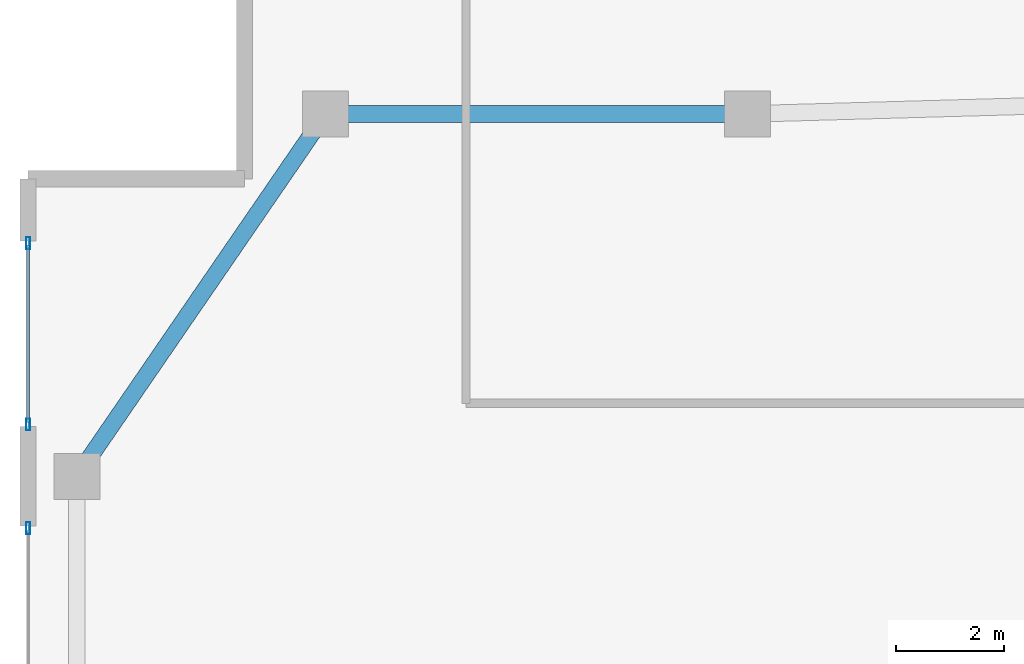
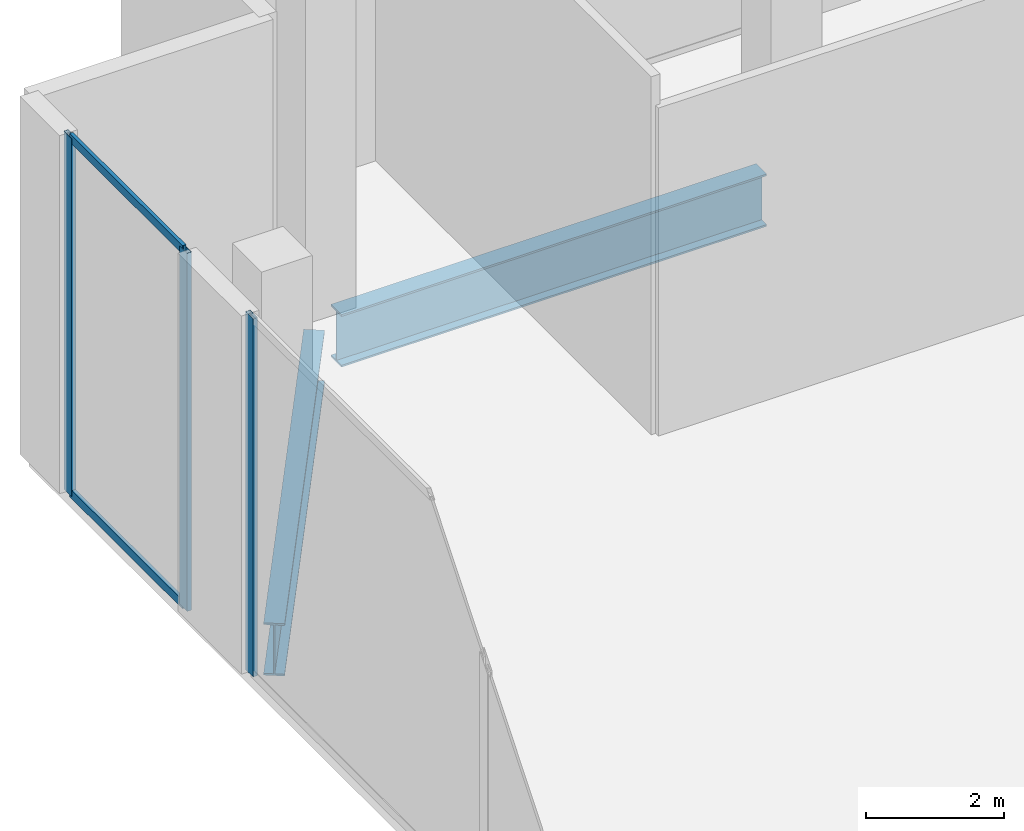
# One storey, part 12 of 30: 5 members, 2 beams, 2 elements without a shape of their own.
"""IFC4 building model written with IfcOpenShell, lengths in metres."""

from ifc_helpers import new_model, si_unit, direction, frame, origin, origin_2d, place, context, subcontext, project, spatial, hollow_rectangle, i_section, extrude, material, layer, layer_set, material_profile, profile_set, type_object, element, aggregate, save


model = new_model("IFC4")

# Units and contexts
model_context = context("Model", 3, precision=1e-05, world=origin(), true_north=direction((0.0, 1.0)))
body_context = subcontext(model_context, "Body", "Model", "MODEL_VIEW")
ifc_project = project(units=[si_unit("LENGTHUNIT", "METRE"), si_unit("AREAUNIT", "SQUARE_METRE"), si_unit("VOLUMEUNIT", "CUBIC_METRE"), si_unit("PLANEANGLEUNIT", "RADIAN"), si_unit("MASSUNIT", "GRAM", prefix="KILO")], contexts=[model_context])

# Site, building, storey
site_placement = place(None, origin())
site = spatial("IfcSite", under=ifc_project, at=site_placement, CompositionType="ELEMENT")
building_placement = place(site_placement, origin())
building = spatial("IfcBuilding", under=site, at=building_placement, Name="Zuhayl Quay Hotel", CompositionType="ELEMENT")
storey_placement = place(building_placement, frame((0.0, 0.0, 11.39990234375)))
storey = spatial("IfcBuildingStorey", under=building, at=storey_placement, Name="L02", CompositionType="ELEMENT", Elevation=11.39990234375)

# Beams
ifc_material_1 = material(Name="Steel ASTM A992 Grade 50", Category="steel")
ifc_material_profile_1 = material_profile(ifc_material_1, i_section(OverallWidth=0.306884765625, OverallDepth=0.927001953125, WebThickness=0.019287109375, FlangeThickness=0.031982421875, at=origin_2d()), Name="W36X194")
ifc_profile_set_1 = profile_set([ifc_material_profile_1], Name="Steel ASTM A992 Grade 50")
beam_type = type_object("IfcBeamType", Name="BM_PG2_W36X194", PredefinedType="BEAM", material=ifc_profile_set_1)
beam_1_placement = place(storey_placement, frame((-30.159912109375, 22.199951171875, -0.723388671875), z_axis=(1.0, 0.0, 0.0), x_axis=(0.0, 1.0, 0.0)))
element("IfcBeam", 1, at=beam_1_placement, inside=storey, type_object=beam_type, Name="L02 Floor Beam PG_N_L02_0", PredefinedType="BEAM", context=body_context, shape_type="SweptSolid", body=[
    extrude(i_section(OverallWidth=0.306884765625, OverallDepth=0.927001953125, WebThickness=0.019287109375, FlangeThickness=0.031982421875, at=origin_2d()), origin(), (0.0, 0.0, 1.0), 7.119873046875),
])
beam_2_placement = place(storey_placement, frame((-34.90771484375, 15.7802734375, -0.723388671875), z_axis=(0.566026455068, 0.824387076659, 0.0), x_axis=(-0.824387076659, 0.566026455068, 0.0)))
element("IfcBeam", 2, at=beam_2_placement, inside=storey, type_object=beam_type, Name="L02 Floor Beam PG_W_L02_3", PredefinedType="BEAM", context=body_context, shape_type="SweptSolid", body=[
    extrude(i_section(OverallWidth=0.306884765625, OverallDepth=0.927001953125, WebThickness=0.019287109375, FlangeThickness=0.031982421875, at=origin_2d()), origin(), (0.0, 0.0, 1.0), 7.447265625),
])

# Curtain wall, member
ifc_material_2 = material(Name="Anodised Aluminium 6063-T6", Category="aluminium")
ifc_layer = layer(ifc_material_2, 0.199951171875, Name="Anodised Aluminium 6063-T6", Category="aluminium")
ifc_layer_set = layer_set([ifc_layer], Name="Anodised Aluminium 6063-T6")
curtain_wall_type = type_object("IfcCurtainWallType", Name="CW_SYS_POD", PredefinedType="USERDEFINED", material=ifc_layer_set)
curtain_wall_1_placement = place(storey_placement, origin())
curtain_wall_1 = element("IfcCurtainWall", 3, at=curtain_wall_1_placement, inside=storey, type_object=curtain_wall_type, Name="L02 Curtain Wall ENV_L02_E02_CW3", ObjectType="UNITISED CURTAIN WALL", PredefinedType="USERDEFINED")
ifc_material_3 = material(Name="Black-anodised aluminium 6063-T6", Category="aluminium")
ifc_material_profile_2 = material_profile(ifc_material_3, hollow_rectangle(XDim=0.074951171875, YDim=0.219970703125, WallThickness=0.00390625, at=origin_2d()), Name="ALU220X75")
ifc_profile_set_2 = profile_set([ifc_material_profile_2], Name="Black-anodised aluminium 6063-T6")
member_type_1 = type_object("IfcMemberType", Name="MB_CW_MUL_220", PredefinedType="MULLION", material=ifc_profile_set_2)
member_1_placement = place(storey_placement, frame((-36.0, 14.54248046875, 0.0), z_axis=(0.0, 0.0, 1.0), x_axis=(-1.0, 0.0, 0.0)))
member_1 = element("IfcMember", 4, at=member_1_placement, type_object=member_type_1, Name="CW-POD mullion 3", PredefinedType="MULLION", context=body_context, shape_type="SweptSolid", body=[
    extrude(hollow_rectangle(XDim=0.074951171875, YDim=0.219970703125, WallThickness=0.00390625, at=origin_2d()), origin(), (0.0, 0.0, 1.0), 6.340087890625),
])
aggregate(curtain_wall_1, [member_1])

# Curtain wall, members
curtain_wall_2_placement = place(storey_placement, origin())
curtain_wall_2 = element("IfcCurtainWall", 5, at=curtain_wall_2_placement, inside=storey, type_object=curtain_wall_type, Name="L02 Curtain Wall ENV_L02_E02_CW4", ObjectType="UNITISED CURTAIN WALL", PredefinedType="USERDEFINED")
member_2_placement = place(storey_placement, frame((-36.0, 16.45751953125, 0.0), z_axis=(0.0, 0.0, 1.0), x_axis=(-1.0, 0.0, 0.0)))
member_2 = element("IfcMember", 6, at=member_2_placement, type_object=member_type_1, Name="CW-POD mullion 1", PredefinedType="MULLION", context=body_context, shape_type="SweptSolid", body=[
    extrude(hollow_rectangle(XDim=0.074951171875, YDim=0.219970703125, WallThickness=0.00390625, at=origin_2d()), origin(), (0.0, 0.0, 1.0), 6.340087890625),
])
member_3_placement = place(storey_placement, frame((-36.0, 19.8125, 0.0), z_axis=(0.0, 0.0, 1.0), x_axis=(-1.0, 0.0, 0.0)))
member_3 = element("IfcMember", 7, at=member_3_placement, type_object=member_type_1, Name="CW-POD mullion 2", PredefinedType="MULLION", context=body_context, shape_type="SweptSolid", body=[
    extrude(hollow_rectangle(XDim=0.074951171875, YDim=0.219970703125, WallThickness=0.00390625, at=origin_2d()), origin(), (0.0, 0.0, 1.0), 6.340087890625),
])
ifc_material_profile_3 = material_profile(ifc_material_3, hollow_rectangle(XDim=0.06005859375, YDim=0.14990234375, WallThickness=0.00341796875, at=origin_2d()), Name="ALU150X60")
ifc_profile_set_3 = profile_set([ifc_material_profile_3], Name="Black-anodised aluminium 6063-T6")
member_type_2 = type_object("IfcMemberType", Name="MB_CW_TRN_150", PredefinedType="USERDEFINED", material=ifc_profile_set_3)
member_4_placement = place(storey_placement, frame((-36.0, 16.4951171875, 0.030029296875), z_axis=(0.0, 1.0, 0.0), x_axis=(-1.0, 0.0, 0.0)))
member_4 = element("IfcMember", 8, at=member_4_placement, type_object=member_type_2, Name="CW-POD transom 1.1", ObjectType="TRANSOM", PredefinedType="USERDEFINED", context=body_context, shape_type="SweptSolid", body=[
    extrude(hollow_rectangle(XDim=0.06005859375, YDim=0.14990234375, WallThickness=0.00341796875, at=origin_2d()), origin(), (0.0, 0.0, 1.0), 3.27978515625),
])
member_5_placement = place(storey_placement, frame((-36.0, 16.4951171875, 6.31005859375), z_axis=(0.0, 1.0, 0.0), x_axis=(-1.0, 0.0, 0.0)))
member_5 = element("IfcMember", 9, at=member_5_placement, type_object=member_type_2, Name="CW-POD transom 1.2", ObjectType="TRANSOM", PredefinedType="USERDEFINED", context=body_context, shape_type="SweptSolid", body=[
    extrude(hollow_rectangle(XDim=0.06005859375, YDim=0.14990234375, WallThickness=0.00341796875, at=origin_2d()), origin(), (0.0, 0.0, 1.0), 3.27978515625),
])
aggregate(curtain_wall_2, [member_2, member_3, member_4, member_5])

save(model, "model.ifc")
